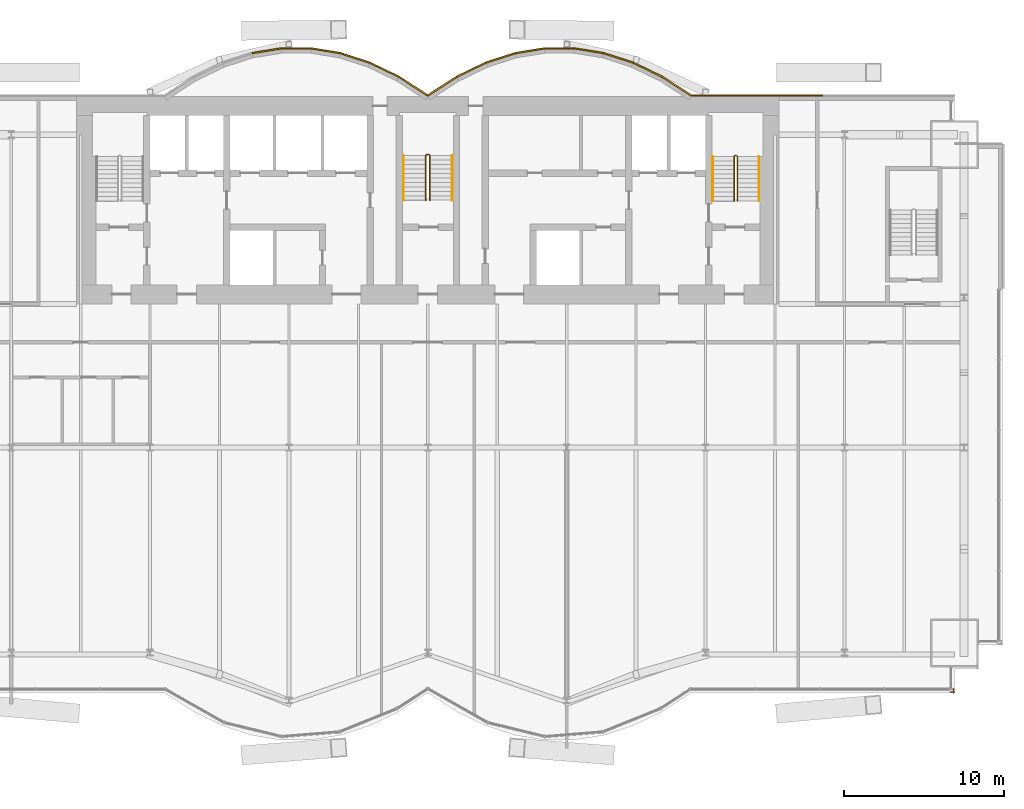
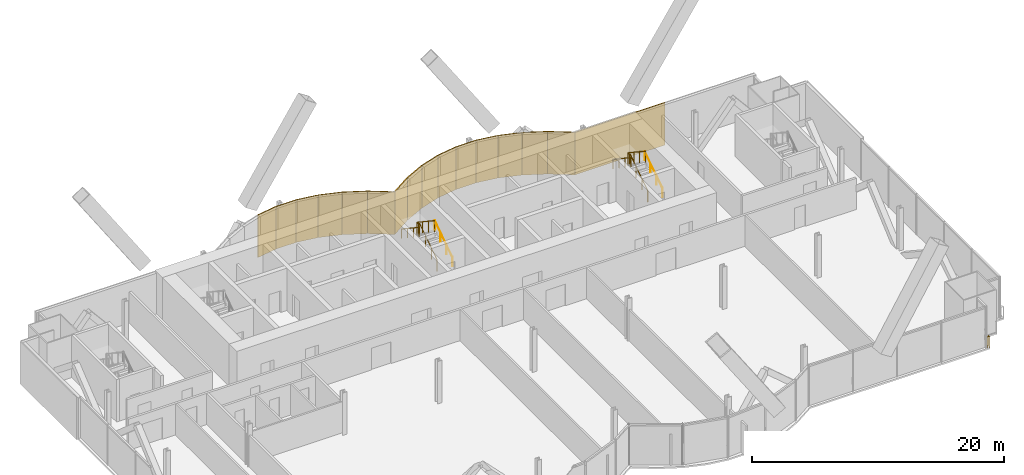
# One storey, part 20 of 21: 16 coverings, 7 railings.
"""IFC4 building model written with IfcOpenShell, lengths in metres."""

from ifc_helpers import new_model, si_unit, direction, frame, origin, origin_2d, place, context, subcontext, project, spatial, rectangle, circle, extrude, material, layer, layer_set, type_object, element, save


model = new_model("IFC4")

# Units and contexts
model_context = context("Model", 3, precision=1e-05, world=origin(), true_north=direction((0.0, 1.0)))
body_context = subcontext(model_context, "Body", "Model", "MODEL_VIEW")
ifc_project = project(units=[si_unit("LENGTHUNIT", "METRE"), si_unit("AREAUNIT", "SQUARE_METRE"), si_unit("VOLUMEUNIT", "CUBIC_METRE"), si_unit("PLANEANGLEUNIT", "RADIAN"), si_unit("MASSUNIT", "GRAM", prefix="KILO")], contexts=[model_context])

# Site, building, storey
site_placement = place(None, origin())
site = spatial("IfcSite", under=ifc_project, at=site_placement, CompositionType="ELEMENT")
building_placement = place(site_placement, origin())
building = spatial("IfcBuilding", under=site, at=building_placement, Name="Bicima Exchange Tower", CompositionType="ELEMENT")
storey_placement = place(building_placement, frame((0.0, 0.0, 118.60009765625)))
storey = spatial("IfcBuildingStorey", under=building, at=storey_placement, Name="L25", CompositionType="ELEMENT", Elevation=118.60009765625)

# Coverings
ifc_material_1 = material(Name="Bronze metal cladding")
ifc_layer_1 = layer(ifc_material_1, 0.004)
ifc_material_2 = material(Name="Ventilated cavity")
ifc_layer_2 = layer(ifc_material_2, 0.06)
ifc_material_3 = material(Name="Galvanised steel rail and mineral wool", Category="steel")
ifc_layer_3 = layer(ifc_material_3, 0.036)
ifc_layer_set = layer_set([ifc_layer_1, ifc_layer_2, ifc_layer_3], Name="Ventilated cavity")
covering_type = type_object("IfcCoveringType", Name="Bronze metal cladding panel 100", PredefinedType="CLADDING", material=ifc_layer_set)
covering_1_placement = place(storey_placement, frame((20.625, 0.050048828125, -0.150146484375), z_axis=(0.0, 0.0, 1.0), x_axis=(-1.0, 0.0, 0.0)))
element("IfcCovering", 1, at=covering_1_placement, inside=storey, type_object=covering_type, Name="Bronze cladding L25 1.2", PredefinedType="CLADDING", context=body_context, shape_type="SweptSolid", body=[
    extrude(rectangle(XDim=8.25, YDim=0.10009765625, at=origin_2d()), origin(), (0.0, 0.0, 1.0), 4.10009765625),
])
covering_2_placement = place(storey_placement, frame((15.610595703125, 0.634521484375, -0.150146484375), z_axis=(0.0, 0.0, 1.0), x_axis=(-0.839790466384, 0.542910648791, 0.0)))
element("IfcCovering", 2, at=covering_2_placement, inside=storey, type_object=covering_type, Name="Bronze cladding L25 2.1", PredefinedType="CLADDING", context=body_context, shape_type="SweptSolid", body=[
    extrude(rectangle(XDim=2.18310546875, YDim=0.10009765625, at=origin_2d()), origin(), (0.0, 0.0, 1.0), 4.10009765625),
])
covering_3_placement = place(storey_placement, frame((13.771728515625, 1.674560546875, -0.150146484375), z_axis=(0.0, 0.0, 1.0), x_axis=(-0.899818346812, 0.436264762204, 0.0)))
element("IfcCovering", 3, at=covering_3_placement, inside=storey, type_object=covering_type, Name="Bronze cladding L25 3.1", PredefinedType="CLADDING", context=body_context, shape_type="SweptSolid", body=[
    extrude(rectangle(XDim=2.03759765625, YDim=0.10009765625, at=origin_2d()), origin(), (0.0, 0.0, 1.0), 4.10009765625),
])
covering_4_placement = place(storey_placement, frame((11.931884765625, 2.41796875, -0.150146484375), z_axis=(0.0, 0.0, 1.0), x_axis=(-0.951524642381, 0.307572519808, 0.0)))
element("IfcCovering", 4, at=covering_4_placement, inside=storey, type_object=covering_type, Name="Bronze cladding L25 4.1", PredefinedType="CLADDING", context=body_context, shape_type="SweptSolid", body=[
    extrude(rectangle(XDim=1.9267578125, YDim=0.10009765625, at=origin_2d()), origin(), (0.0, 0.0, 1.0), 4.10009765625),
])
covering_5_placement = place(storey_placement, frame((10.09130859375, 2.8642578125, -0.150146484375), z_axis=(0.0, 0.0, 1.0), x_axis=(-0.987189786347, 0.159550386184, 0.0)))
element("IfcCovering", 5, at=covering_5_placement, inside=storey, type_object=covering_type, Name="Bronze cladding L25 5.1", PredefinedType="CLADDING", context=body_context, shape_type="SweptSolid", body=[
    extrude(rectangle(XDim=1.857177734375, YDim=0.10009765625, at=origin_2d()), origin(), (0.0, 0.0, 1.0), 4.10009765625),
])
covering_6_placement = place(storey_placement, frame((8.25, 3.012939453125, -0.150146484375), z_axis=(0.0, 0.0, 1.0), x_axis=(-1.0, 0.0, 0.0)))
element("IfcCovering", 6, at=covering_6_placement, inside=storey, type_object=covering_type, Name="Bronze cladding L25 6.1", PredefinedType="CLADDING", context=body_context, shape_type="SweptSolid", body=[
    extrude(rectangle(XDim=1.83349609375, YDim=0.10009765625, at=origin_2d()), origin(), (0.0, 0.0, 1.0), 4.10009765625),
])
covering_7_placement = place(storey_placement, frame((6.40869140625, 2.8642578125, -0.150146484375), z_axis=(0.0, 0.0, 1.0), x_axis=(-0.987189786347, -0.159550386184, 0.0)))
element("IfcCovering", 7, at=covering_7_placement, inside=storey, type_object=covering_type, Name="Bronze cladding L25 7.1", PredefinedType="CLADDING", context=body_context, shape_type="SweptSolid", body=[
    extrude(rectangle(XDim=1.857177734375, YDim=0.10009765625, at=origin_2d()), origin(), (0.0, 0.0, 1.0), 4.10009765625),
])
covering_8_placement = place(storey_placement, frame((4.568115234375, 2.41796875, -0.150146484375), z_axis=(0.0, 0.0, 1.0), x_axis=(-0.951524642381, -0.307572519808, 0.0)))
element("IfcCovering", 8, at=covering_8_placement, inside=storey, type_object=covering_type, Name="Bronze cladding L25 8.1", PredefinedType="CLADDING", context=body_context, shape_type="SweptSolid", body=[
    extrude(rectangle(XDim=1.9267578125, YDim=0.10009765625, at=origin_2d()), origin(), (0.0, 0.0, 1.0), 4.10009765625),
])
covering_9_placement = place(storey_placement, frame((2.728271484375, 1.674560546875, -0.150146484375), z_axis=(0.0, 0.0, 1.0), x_axis=(-0.899818346812, -0.436264762204, 0.0)))
element("IfcCovering", 9, at=covering_9_placement, inside=storey, type_object=covering_type, Name="Bronze cladding L25 9.1", PredefinedType="CLADDING", context=body_context, shape_type="SweptSolid", body=[
    extrude(rectangle(XDim=2.03759765625, YDim=0.10009765625, at=origin_2d()), origin(), (0.0, 0.0, 1.0), 4.10009765625),
])
for number, where, z_axis, x_axis, name in (
    (10, (0.889404296875, 0.634521484375, -0.150146484375), (0.0, 0.0, 1.0), (-0.839790466384, -0.542910648791, 0.0), "Bronze cladding L25 10.1"),
    (11, (-0.889404296875, 0.634521484375, -0.150146484375), (0.0, 0.0, 1.0), (-0.839790466384, 0.542910648791, 0.0), "Bronze cladding L25 11.1"),
):
    element("IfcCovering", number, at=place(storey_placement, frame(where, z_axis=z_axis, x_axis=x_axis)), inside=storey, type_object=covering_type, Name=name, PredefinedType="CLADDING", context=body_context, shape_type="SweptSolid", body=[
        extrude(rectangle(XDim=2.18310546875, YDim=0.10009765625, at=origin_2d()), origin(), (0.0, 0.0, 1.0), 4.10009765625),
    ])
covering_10_placement = place(storey_placement, frame((-2.728271484375, 1.674560546875, -0.150146484375), z_axis=(0.0, 0.0, 1.0), x_axis=(-0.899818346812, 0.436264762204, 0.0)))
element("IfcCovering", 12, at=covering_10_placement, inside=storey, type_object=covering_type, Name="Bronze cladding L25 12.1", PredefinedType="CLADDING", context=body_context, shape_type="SweptSolid", body=[
    extrude(rectangle(XDim=2.03759765625, YDim=0.10009765625, at=origin_2d()), origin(), (0.0, 0.0, 1.0), 4.10009765625),
])
covering_11_placement = place(storey_placement, frame((-4.568115234375, 2.41796875, -0.150146484375), z_axis=(0.0, 0.0, 1.0), x_axis=(-0.951524642381, 0.307572519808, 0.0)))
element("IfcCovering", 13, at=covering_11_placement, inside=storey, type_object=covering_type, Name="Bronze cladding L25 13.1", PredefinedType="CLADDING", context=body_context, shape_type="SweptSolid", body=[
    extrude(rectangle(XDim=1.9267578125, YDim=0.10009765625, at=origin_2d()), origin(), (0.0, 0.0, 1.0), 4.10009765625),
])
covering_12_placement = place(storey_placement, frame((-6.40869140625, 2.8642578125, -0.150146484375), z_axis=(0.0, 0.0, 1.0), x_axis=(-0.987189786347, 0.159550386184, 0.0)))
element("IfcCovering", 14, at=covering_12_placement, inside=storey, type_object=covering_type, Name="Bronze cladding L25 14.1", PredefinedType="CLADDING", context=body_context, shape_type="SweptSolid", body=[
    extrude(rectangle(XDim=1.857177734375, YDim=0.10009765625, at=origin_2d()), origin(), (0.0, 0.0, 1.0), 4.10009765625),
])
covering_13_placement = place(storey_placement, frame((-8.25, 3.012939453125, -0.150146484375), z_axis=(0.0, 0.0, 1.0), x_axis=(-1.0, 0.0, 0.0)))
element("IfcCovering", 15, at=covering_13_placement, inside=storey, type_object=covering_type, Name="Bronze cladding L25 15.1", PredefinedType="CLADDING", context=body_context, shape_type="SweptSolid", body=[
    extrude(rectangle(XDim=1.83349609375, YDim=0.10009765625, at=origin_2d()), origin(), (0.0, 0.0, 1.0), 4.10009765625),
])
covering_14_placement = place(storey_placement, frame((-10.09130859375, 2.8642578125, -0.150146484375), z_axis=(0.0, 0.0, 1.0), x_axis=(-0.987189786347, -0.159550386184, 0.0)))
element("IfcCovering", 16, at=covering_14_placement, inside=storey, type_object=covering_type, Name="Bronze cladding L25 16.1", PredefinedType="CLADDING", context=body_context, shape_type="SweptSolid", body=[
    extrude(rectangle(XDim=1.857177734375, YDim=0.10009765625, at=origin_2d()), origin(), (0.0, 0.0, 1.0), 4.10009765625),
])

# Railings
ifc_material_4 = material(Name="Stainless steel and bonded safety glass", Category="steel")
railing_type_1 = type_object("IfcRailingType", Name="Edge guard 1100", PredefinedType="GUARDRAIL", material=ifc_material_4)
railing_1_placement = place(storey_placement, frame((32.949951171875, -37.114013671875, 0.0)))
element("IfcRailing", 17, at=railing_1_placement, inside=storey, type_object=railing_type_1, Name="Edge guard L25 124", PredefinedType="GUARDRAIL", context=body_context, shape_type="SweptSolid", body=[
    extrude(circle(Radius=0.02392578125, at=origin_2d()), frame((0.0, 0.0, 1.076171875), z_axis=(0.0, -1.0, 0.0), x_axis=(1.0, 0.0, 0.0)), (0.0, 0.0, 1.0), 0.25),
    extrude(circle(Radius=0.02392578125, at=origin_2d()), frame((0.0, -0.25, 1.076171875), z_axis=(0.707106781187, 0.707106781187, 0.0), x_axis=(-0.707106781187, 0.707106781187, 0.0)), (0.0, 0.0, 1.0), 0.07080078125),
    extrude(circle(Radius=0.02392578125, at=origin_2d()), frame((0.050048828125, -0.199951171875, 1.076171875), z_axis=(-1.0, 0.0, 0.0), x_axis=(0.0, -1.0, 0.0)), (0.0, 0.0, 1.0), 0.25),
    extrude(circle(Radius=0.02099609375, at=origin_2d()), origin(), (0.0, 0.0, 1.0), 1.052001953125),
    extrude(circle(Radius=0.02099609375, at=origin_2d()), frame((0.0, -0.25, 0.0)), (0.0, 0.0, 1.0), 1.052001953125),
    extrude(circle(Radius=0.02099609375, at=origin_2d()), frame((0.050048828125, -0.199951171875, 0.0)), (0.0, 0.0, 1.0), 1.052001953125),
    extrude(circle(Radius=0.02099609375, at=origin_2d()), frame((-0.199951171875, -0.199951171875, 0.0)), (0.0, 0.0, 1.0), 1.052001953125),
])
ifc_material_5 = material(Name="Stainless steel", Category="steel")
railing_type_2 = type_object("IfcRailingType", Name="Stair guard 1100", PredefinedType="GUARDRAIL", material=ifc_material_5)
railing_2_placement = place(storey_placement, frame((0.125, -6.5, 0.186279296875)))
element("IfcRailing", 18, at=railing_2_placement, inside=storey, type_object=railing_type_2, Name="L25 ST-C stair guard 1", PredefinedType="GUARDRAIL", context=body_context, shape_type="SweptSolid", body=[
    extrude(circle(Radius=0.02392578125, at=origin_2d()), frame((0.0, 0.0, 1.076171875), z_axis=(0.0, 0.832485552168, 0.554046753832), x_axis=(-1.0, 0.0, 0.0)), (0.0, 0.0, 1.0), 3.363525390625),
    extrude(circle(Radius=0.02392578125, at=origin_2d()), frame((0.0, 2.800048828125, 2.939453125), z_axis=(-0.707106781187, 0.707106781187, 0.0), x_axis=(-0.707106781187, -0.707106781187, 0.0)), (0.0, 0.0, 1.0), 0.07080078125),
    extrude(circle(Radius=0.02392578125, at=origin_2d()), frame((-0.050048828125, 2.85009765625, 2.939453125), z_axis=(-1.0, 0.0, 0.0), x_axis=(0.0, -1.0, 0.0)), (0.0, 0.0, 1.0), 0.14990234375),
    extrude(circle(Radius=0.02392578125, at=origin_2d()), frame((-0.199951171875, 2.85009765625, 2.939453125), z_axis=(-0.250869701741, -0.250869701741, 0.934948546978), x_axis=(0.707106781187, -0.707106781187, 0.0)), (0.0, 0.0, 1.0), 0.199462890625),
    extrude(circle(Radius=0.02392578125, at=origin_2d()), frame((-0.25, 2.800048828125, 3.1259765625), z_axis=(0.0, -0.832485552168, 0.554046753832), x_axis=(1.0, 0.0, 0.0)), (0.0, 0.0, 1.0), 3.363525390625),
    extrude(circle(Radius=0.02099609375, at=origin_2d()), origin(), (0.0, 0.0, 1.0), 1.052001953125),
    extrude(circle(Radius=0.02099609375, at=origin_2d()), frame((0.0, 0.933349609375, 0.62109375)), (0.0, 0.0, 1.0), 1.052001953125),
    extrude(circle(Radius=0.02099609375, at=origin_2d()), frame((0.0, 1.86669921875, 1.242431640625)), (0.0, 0.0, 1.0), 1.052001953125),
    extrude(circle(Radius=0.02099609375, at=origin_2d()), frame((0.0, 2.800048828125, 1.863525390625)), (0.0, 0.0, 1.0), 1.052001953125),
    extrude(circle(Radius=0.02099609375, at=origin_2d()), frame((-0.050048828125, 2.85009765625, 1.863525390625)), (0.0, 0.0, 1.0), 1.052001953125),
    extrude(circle(Radius=0.02099609375, at=origin_2d()), frame((-0.199951171875, 2.85009765625, 1.863525390625)), (0.0, 0.0, 1.0), 1.052001953125),
    extrude(circle(Radius=0.02099609375, at=origin_2d()), frame((-0.25, 2.800048828125, 2.050048828125)), (0.0, 0.0, 1.0), 1.052001953125),
    extrude(circle(Radius=0.02099609375, at=origin_2d()), frame((-0.25, 1.86669921875, 2.671142578125)), (0.0, 0.0, 1.0), 1.052001953125),
    extrude(circle(Radius=0.02099609375, at=origin_2d()), frame((-0.25, 0.933349609375, 3.29248046875)), (0.0, 0.0, 1.0), 1.052001953125),
    extrude(circle(Radius=0.02099609375, at=origin_2d()), frame((-0.25, 0.0, 3.91357421875)), (0.0, 0.0, 1.0), 1.052001953125),
])
railing_3_placement = place(storey_placement, frame((19.39990234375, -6.550048828125, 0.186279296875)))
element("IfcRailing", 19, at=railing_3_placement, inside=storey, type_object=railing_type_2, Name="L25 ST-E stair guard 1", PredefinedType="GUARDRAIL", context=body_context, shape_type="SweptSolid", body=[
    extrude(circle(Radius=0.02392578125, at=origin_2d()), frame((0.0, 0.0, 1.076171875), z_axis=(0.0, 0.832485552168, 0.554046753832), x_axis=(-1.0, 0.0, 0.0)), (0.0, 0.0, 1.0), 3.363525390625),
    extrude(circle(Radius=0.02392578125, at=origin_2d()), frame((0.0, 2.800048828125, 2.939453125), z_axis=(-0.705375805398, 0.708833529934, 0.0), x_axis=(-0.708833529934, -0.705375805398, 0.0)), (0.0, 0.0, 1.0), 0.070556640625),
    extrude(circle(Radius=0.02392578125, at=origin_2d()), frame((-0.0498046875, 2.85009765625, 2.939453125), z_axis=(-1.0, 0.0, 0.0), x_axis=(0.0, -1.0, 0.0)), (0.0, 0.0, 1.0), 0.10009765625),
    extrude(circle(Radius=0.02392578125, at=origin_2d()), frame((-0.14990234375, 2.85009765625, 2.939453125), z_axis=(-0.250869701741, -0.250869701741, 0.934948546978), x_axis=(0.707106781187, -0.707106781187, 0.0)), (0.0, 0.0, 1.0), 0.199462890625),
    extrude(circle(Radius=0.02392578125, at=origin_2d()), frame((-0.199951171875, 2.800048828125, 3.1259765625), z_axis=(0.0, -0.832485552168, 0.554046753832), x_axis=(1.0, 0.0, 0.0)), (0.0, 0.0, 1.0), 3.363525390625),
    extrude(circle(Radius=0.02099609375, at=origin_2d()), origin(), (0.0, 0.0, 1.0), 1.052001953125),
    extrude(circle(Radius=0.02099609375, at=origin_2d()), frame((0.0, 0.933349609375, 0.62109375)), (0.0, 0.0, 1.0), 1.052001953125),
    extrude(circle(Radius=0.02099609375, at=origin_2d()), frame((0.0, 1.86669921875, 1.242431640625)), (0.0, 0.0, 1.0), 1.052001953125),
    extrude(circle(Radius=0.02099609375, at=origin_2d()), frame((0.0, 2.800048828125, 1.863525390625)), (0.0, 0.0, 1.0), 1.052001953125),
    extrude(circle(Radius=0.02099609375, at=origin_2d()), frame((-0.0498046875, 2.85009765625, 1.863525390625)), (0.0, 0.0, 1.0), 1.052001953125),
    extrude(circle(Radius=0.02099609375, at=origin_2d()), frame((-0.14990234375, 2.85009765625, 1.863525390625)), (0.0, 0.0, 1.0), 1.052001953125),
    extrude(circle(Radius=0.02099609375, at=origin_2d()), frame((-0.199951171875, 2.800048828125, 2.050048828125)), (0.0, 0.0, 1.0), 1.052001953125),
    extrude(circle(Radius=0.02099609375, at=origin_2d()), frame((-0.199951171875, 1.86669921875, 2.671142578125)), (0.0, 0.0, 1.0), 1.052001953125),
    extrude(circle(Radius=0.02099609375, at=origin_2d()), frame((-0.199951171875, 0.933349609375, 3.29248046875)), (0.0, 0.0, 1.0), 1.052001953125),
    extrude(circle(Radius=0.02099609375, at=origin_2d()), frame((-0.199951171875, 0.0, 3.91357421875)), (0.0, 0.0, 1.0), 1.052001953125),
])
railing_type_3 = type_object("IfcRailingType", Name="Stair handrail 900", PredefinedType="HANDRAIL", material=ifc_material_5)
railing_4_placement = place(storey_placement, frame((1.52490234375, -6.5, 0.186279296875)))
element("IfcRailing", 20, at=railing_4_placement, inside=storey, type_object=railing_type_3, Name="L25 ST-C stair handrail 1", PredefinedType="HANDRAIL", context=body_context, shape_type="SweptSolid", body=[
    extrude(circle(Radius=0.02392578125, at=origin_2d()), frame((0.0, 0.0, 0.8759765625), z_axis=(0.0, 0.832485552168, 0.554046753832), x_axis=(-1.0, 0.0, 0.0)), (0.0, 0.0, 1.0), 3.363525390625),
    extrude(circle(Radius=0.02099609375, at=origin_2d()), origin(), (0.0, 0.0, 1.0), 0.851806640625),
    extrude(circle(Radius=0.02099609375, at=origin_2d()), frame((0.0, 0.933349609375, 0.62109375)), (0.0, 0.0, 1.0), 0.851806640625),
    extrude(circle(Radius=0.02099609375, at=origin_2d()), frame((0.0, 1.86669921875, 1.242431640625)), (0.0, 0.0, 1.0), 0.851806640625),
    extrude(circle(Radius=0.02099609375, at=origin_2d()), frame((0.0, 2.800048828125, 1.863525390625)), (0.0, 0.0, 1.0), 0.851806640625),
])
railing_5_placement = place(storey_placement, frame((-1.52490234375, -3.699951171875, 2.276611328125)))
element("IfcRailing", 21, at=railing_5_placement, inside=storey, type_object=railing_type_3, Name="L25 ST-C stair handrail 2", PredefinedType="HANDRAIL", context=body_context, shape_type="SweptSolid", body=[
    extrude(circle(Radius=0.02392578125, at=origin_2d()), frame((0.0, 0.0, 0.8759765625), z_axis=(0.0, -0.832452072856, 0.554097055034), x_axis=(1.0, 0.0, 0.0)), (0.0, 0.0, 1.0), 3.363525390625),
    extrude(circle(Radius=0.02099609375, at=origin_2d()), origin(), (0.0, 0.0, 1.0), 0.851806640625),
    extrude(circle(Radius=0.02099609375, at=origin_2d()), frame((0.0, -0.933349609375, 0.621337890625)), (0.0, 0.0, 1.0), 0.851806640625),
    extrude(circle(Radius=0.02099609375, at=origin_2d()), frame((0.0, -1.86669921875, 1.242431640625)), (0.0, 0.0, 1.0), 0.851806640625),
    extrude(circle(Radius=0.02099609375, at=origin_2d()), frame((0.0, -2.800048828125, 1.86376953125)), (0.0, 0.0, 1.0), 0.851806640625),
])
railing_6_placement = place(storey_placement, frame((20.75, -6.550048828125, 0.186279296875)))
element("IfcRailing", 22, at=railing_6_placement, inside=storey, type_object=railing_type_3, Name="L25 ST-E stair handrail 1", PredefinedType="HANDRAIL", context=body_context, shape_type="SweptSolid", body=[
    extrude(circle(Radius=0.02392578125, at=origin_2d()), frame((0.0, 0.0, 0.8759765625), z_axis=(0.0, 0.832485552168, 0.554046753832), x_axis=(-1.0, 0.0, 0.0)), (0.0, 0.0, 1.0), 3.363525390625),
    extrude(circle(Radius=0.02099609375, at=origin_2d()), origin(), (0.0, 0.0, 1.0), 0.851806640625),
    extrude(circle(Radius=0.02099609375, at=origin_2d()), frame((0.0, 0.933349609375, 0.62109375)), (0.0, 0.0, 1.0), 0.851806640625),
    extrude(circle(Radius=0.02099609375, at=origin_2d()), frame((0.0, 1.86669921875, 1.242431640625)), (0.0, 0.0, 1.0), 0.851806640625),
    extrude(circle(Radius=0.02099609375, at=origin_2d()), frame((0.0, 2.800048828125, 1.863525390625)), (0.0, 0.0, 1.0), 0.851806640625),
])
railing_7_placement = place(storey_placement, frame((17.85009765625, -3.75, 2.276611328125)))
element("IfcRailing", 23, at=railing_7_placement, inside=storey, type_object=railing_type_3, Name="L25 ST-E stair handrail 2", PredefinedType="HANDRAIL", context=body_context, shape_type="SweptSolid", body=[
    extrude(circle(Radius=0.02392578125, at=origin_2d()), frame((0.0, 0.0, 0.8759765625), z_axis=(0.0, -0.832452072856, 0.554097055034), x_axis=(1.0, 0.0, 0.0)), (0.0, 0.0, 1.0), 3.363525390625),
    extrude(circle(Radius=0.02099609375, at=origin_2d()), origin(), (0.0, 0.0, 1.0), 0.851806640625),
    extrude(circle(Radius=0.02099609375, at=origin_2d()), frame((0.0, -0.933349609375, 0.621337890625)), (0.0, 0.0, 1.0), 0.851806640625),
    extrude(circle(Radius=0.02099609375, at=origin_2d()), frame((0.0, -1.86669921875, 1.242431640625)), (0.0, 0.0, 1.0), 0.851806640625),
    extrude(circle(Radius=0.02099609375, at=origin_2d()), frame((0.0, -2.800048828125, 1.86376953125)), (0.0, 0.0, 1.0), 0.851806640625),
])

save(model, "model.ifc")
